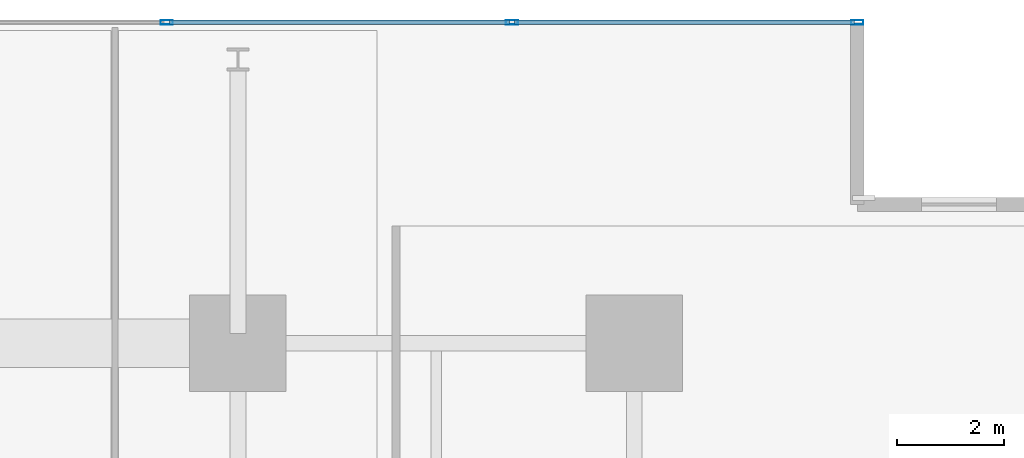
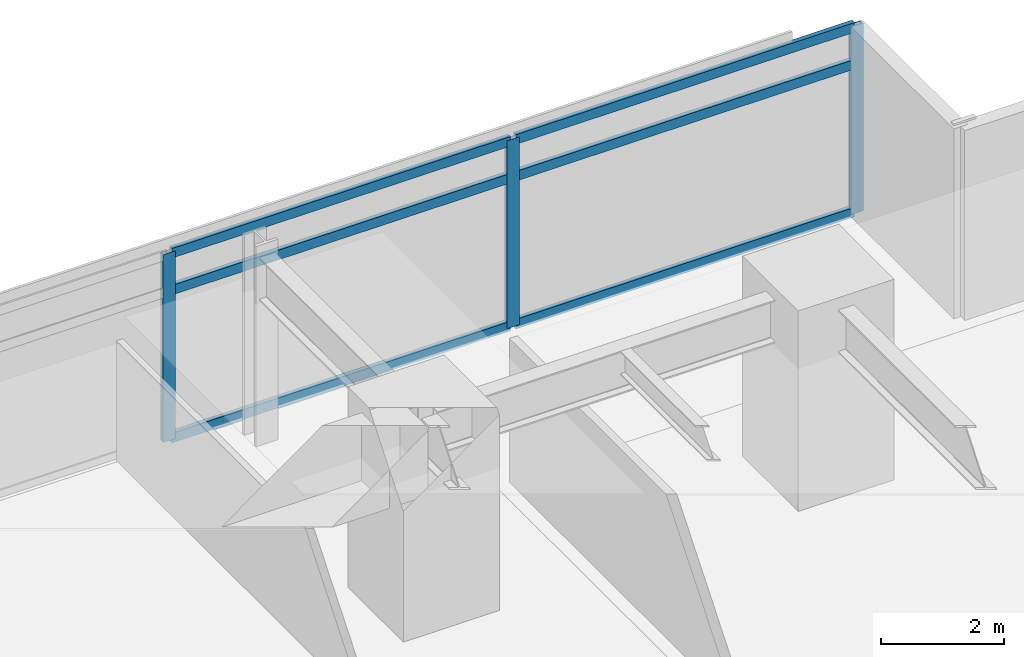
# One storey, part 11 of 23: 9 members, 1 element without a shape of its own.
"""IFC4 building model written with IfcOpenShell, lengths in metres."""

from ifc_helpers import new_model, si_unit, direction, frame, origin, origin_2d, place, context, subcontext, project, spatial, hollow_rectangle, extrude, material, material_profile, profile_set, type_object, element, aggregate, save


model = new_model("IFC4")

# Units and contexts
model_context = context("Model", 3, precision=1e-05, world=origin(), true_north=direction((0.0, 1.0)))
body_context = subcontext(model_context, "Body", "Model", "MODEL_VIEW")
ifc_project = project(units=[si_unit("LENGTHUNIT", "METRE"), si_unit("AREAUNIT", "SQUARE_METRE"), si_unit("VOLUMEUNIT", "CUBIC_METRE"), si_unit("PLANEANGLEUNIT", "RADIAN"), si_unit("MASSUNIT", "GRAM", prefix="KILO")], contexts=[model_context])

# Site, building, storey
site_placement = place(None, origin())
site = spatial("IfcSite", under=ifc_project, at=site_placement, CompositionType="ELEMENT")
building_placement = place(site_placement, origin())
building = spatial("IfcBuilding", under=site, at=building_placement, Name="Kovane Verandah Tower", CompositionType="ELEMENT")
storey_placement = place(building_placement, frame((0.0, 0.0, 91.60009765625)))
storey = spatial("IfcBuildingStorey", under=building, at=storey_placement, Name="L21", CompositionType="ELEMENT", Elevation=91.60009765625)

# Curtain wall, members
ifc_material_1 = material(Name="Champagne Anodised Aluminium Frame with Low-E Clear Laminated Glass", Category="aluminium")
curtain_wall_type = type_object("IfcCurtainWallType", Name="CW-SYS-02-LOW", PredefinedType="NOTDEFINED", material=ifc_material_1)
curtain_wall_placement = place(storey_placement, origin())
curtain_wall = element("IfcCurtainWall", 1, at=curtain_wall_placement, inside=storey, type_object=curtain_wall_type, Name="L21 N Unitised Curtain Wall", PredefinedType="NOTDEFINED")
ifc_material_2 = material(Name="Champagne Anodised Aluminium 6063-T6", Category="aluminium")
ifc_material_profile_1 = material_profile(ifc_material_2, hollow_rectangle(XDim=0.0849609375, YDim=0.22998046875, WallThickness=0.00390625, at=origin_2d()), Name="AL85x230x4")
ifc_profile_set_1 = profile_set([ifc_material_profile_1], Name="Champagne Anodised Aluminium 6063-T6")
member_type_1 = type_object("IfcMemberType", Name="CW-MUL-85x230", PredefinedType="MULLION", material=ifc_profile_set_1)
member_1_placement = place(storey_placement, frame((62.564208984375, 50.19482421875, 0.02001953125), z_axis=(0.0, 0.0, 1.0), x_axis=(0.0, 1.0, 0.0)))
member_1 = element("IfcMember", 2, at=member_1_placement, type_object=member_type_1, Name="L21 N Unitised Curtain Wall Mullion 1", PredefinedType="MULLION", context=body_context, shape_type="SweptSolid", body=[
    extrude(hollow_rectangle(XDim=0.0849609375, YDim=0.22998046875, WallThickness=0.00390625, at=origin_2d()), origin(), (0.0, 0.0, 1.0), 3.719970703125),
])
member_2_placement = place(storey_placement, frame((56.1171875, 50.19482421875, 0.02001953125), z_axis=(0.0, 0.0, 1.0), x_axis=(0.0, 1.0, 0.0)))
member_2 = element("IfcMember", 3, at=member_2_placement, type_object=member_type_1, Name="L21 N Unitised Curtain Wall Mullion 2", PredefinedType="MULLION", context=body_context, shape_type="SweptSolid", body=[
    extrude(hollow_rectangle(XDim=0.0849609375, YDim=0.22998046875, WallThickness=0.00390625, at=origin_2d()), origin(), (0.0, 0.0, 1.0), 3.719970703125),
])
member_3_placement = place(storey_placement, frame((49.67041015625, 50.19482421875, 0.02001953125), z_axis=(0.0, 0.0, 1.0), x_axis=(0.0, 1.0, 0.0)))
member_3 = element("IfcMember", 4, at=member_3_placement, type_object=member_type_1, Name="L21 N Unitised Curtain Wall Mullion 3", PredefinedType="MULLION", context=body_context, shape_type="SweptSolid", body=[
    extrude(hollow_rectangle(XDim=0.0849609375, YDim=0.22998046875, WallThickness=0.00390625, at=origin_2d()), origin(), (0.0, 0.0, 1.0), 3.719970703125),
])
ifc_material_profile_2 = material_profile(ifc_material_2, hollow_rectangle(XDim=0.0849609375, YDim=0.18994140625, WallThickness=0.00390625, at=origin_2d()), Name="AL85x190x4")
ifc_profile_set_2 = profile_set([ifc_material_profile_2], Name="Champagne Anodised Aluminium 6063-T6")
member_type_2 = type_object("IfcMemberType", Name="CW-TRN-85x190", PredefinedType="USERDEFINED", material=ifc_profile_set_2)
member_4_placement = place(storey_placement, frame((62.51416015625, 50.19482421875, 0.0498046875), z_axis=(-1.0, 0.0, 0.0), x_axis=(0.0, -1.0, 0.0)))
member_4 = element("IfcMember", 5, at=member_4_placement, type_object=member_type_2, Name="L21 N Unitised Curtain Wall Transom TB Bay 1", ObjectType="TRANSOM", PredefinedType="USERDEFINED", context=body_context, shape_type="SweptSolid", body=[
    extrude(hollow_rectangle(XDim=0.0849609375, YDim=0.18994140625, WallThickness=0.00390625, at=origin_2d()), origin(), (0.0, 0.0, 1.0), 6.346923828125),
])
member_5_placement = place(storey_placement, frame((62.51416015625, 50.19482421875, 2.97998046875), z_axis=(-1.0, 0.0, 0.0), x_axis=(0.0, -1.0, 0.0)))
member_5 = element("IfcMember", 6, at=member_5_placement, type_object=member_type_2, Name="L21 N Unitised Curtain Wall Transom TM Bay 1", ObjectType="TRANSOM", PredefinedType="USERDEFINED", context=body_context, shape_type="SweptSolid", body=[
    extrude(hollow_rectangle(XDim=0.0849609375, YDim=0.18994140625, WallThickness=0.00390625, at=origin_2d()), origin(), (0.0, 0.0, 1.0), 6.346923828125),
])
member_6_placement = place(storey_placement, frame((62.51416015625, 50.19482421875, 3.7099609375), z_axis=(-1.0, 0.0, 0.0), x_axis=(0.0, -1.0, 0.0)))
member_6 = element("IfcMember", 7, at=member_6_placement, type_object=member_type_2, Name="L21 N Unitised Curtain Wall Transom TT Bay 1", ObjectType="TRANSOM", PredefinedType="USERDEFINED", context=body_context, shape_type="SweptSolid", body=[
    extrude(hollow_rectangle(XDim=0.0849609375, YDim=0.18994140625, WallThickness=0.00390625, at=origin_2d()), origin(), (0.0, 0.0, 1.0), 6.346923828125),
])
member_7_placement = place(storey_placement, frame((56.067138671875, 50.19482421875, 0.0498046875), z_axis=(-1.0, 0.0, 0.0), x_axis=(0.0, -1.0, 0.0)))
member_7 = element("IfcMember", 8, at=member_7_placement, type_object=member_type_2, Name="L21 N Unitised Curtain Wall Transom TB Bay 2", ObjectType="TRANSOM", PredefinedType="USERDEFINED", context=body_context, shape_type="SweptSolid", body=[
    extrude(hollow_rectangle(XDim=0.0849609375, YDim=0.18994140625, WallThickness=0.00390625, at=origin_2d()), origin(), (0.0, 0.0, 1.0), 6.346923828125),
])
member_8_placement = place(storey_placement, frame((56.067138671875, 50.19482421875, 2.97998046875), z_axis=(-1.0, 0.0, 0.0), x_axis=(0.0, -1.0, 0.0)))
member_8 = element("IfcMember", 9, at=member_8_placement, type_object=member_type_2, Name="L21 N Unitised Curtain Wall Transom TM Bay 2", ObjectType="TRANSOM", PredefinedType="USERDEFINED", context=body_context, shape_type="SweptSolid", body=[
    extrude(hollow_rectangle(XDim=0.0849609375, YDim=0.18994140625, WallThickness=0.00390625, at=origin_2d()), origin(), (0.0, 0.0, 1.0), 6.346923828125),
])
member_9_placement = place(storey_placement, frame((56.067138671875, 50.19482421875, 3.7099609375), z_axis=(-1.0, 0.0, 0.0), x_axis=(0.0, -1.0, 0.0)))
member_9 = element("IfcMember", 10, at=member_9_placement, type_object=member_type_2, Name="L21 N Unitised Curtain Wall Transom TT Bay 2", ObjectType="TRANSOM", PredefinedType="USERDEFINED", context=body_context, shape_type="SweptSolid", body=[
    extrude(hollow_rectangle(XDim=0.0849609375, YDim=0.18994140625, WallThickness=0.00390625, at=origin_2d()), origin(), (0.0, 0.0, 1.0), 6.346923828125),
])
aggregate(curtain_wall, [member_1, member_2, member_3, member_4, member_5, member_6, member_7, member_8, member_9])

save(model, "model.ifc")
